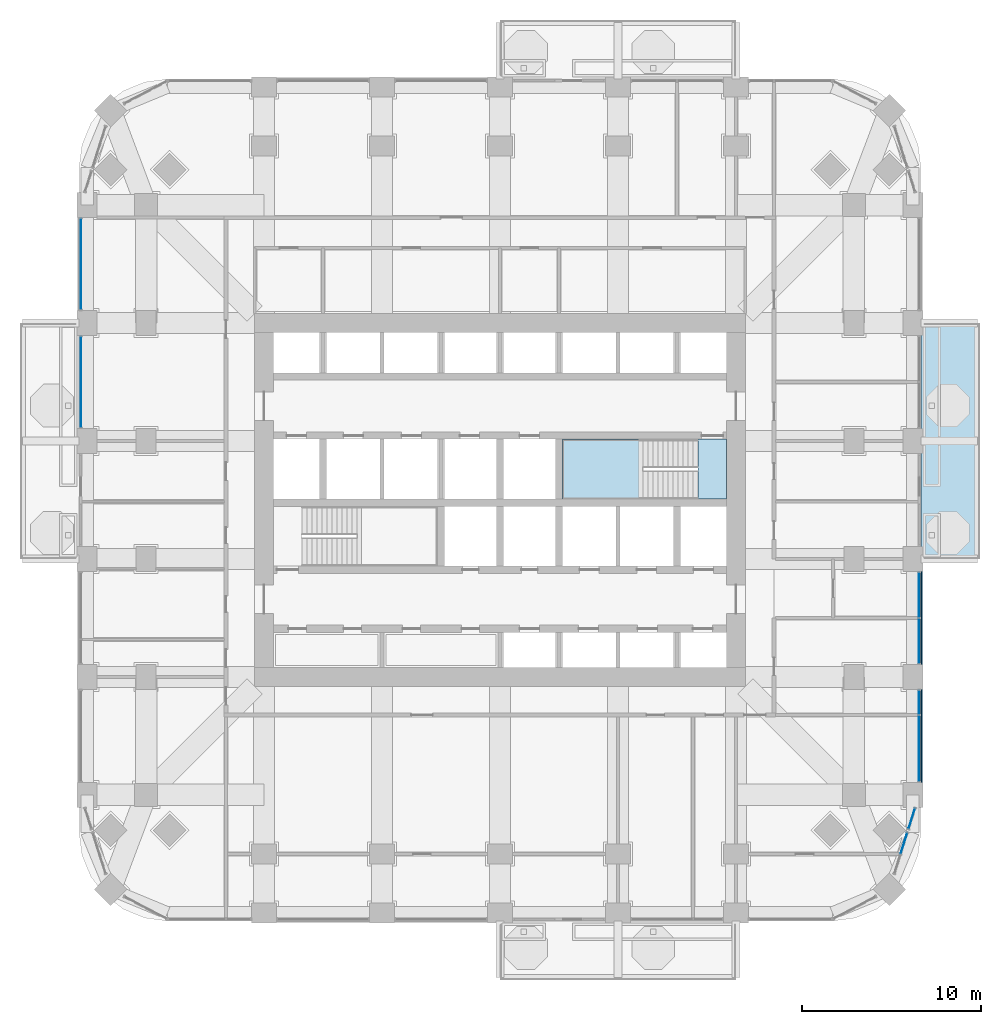
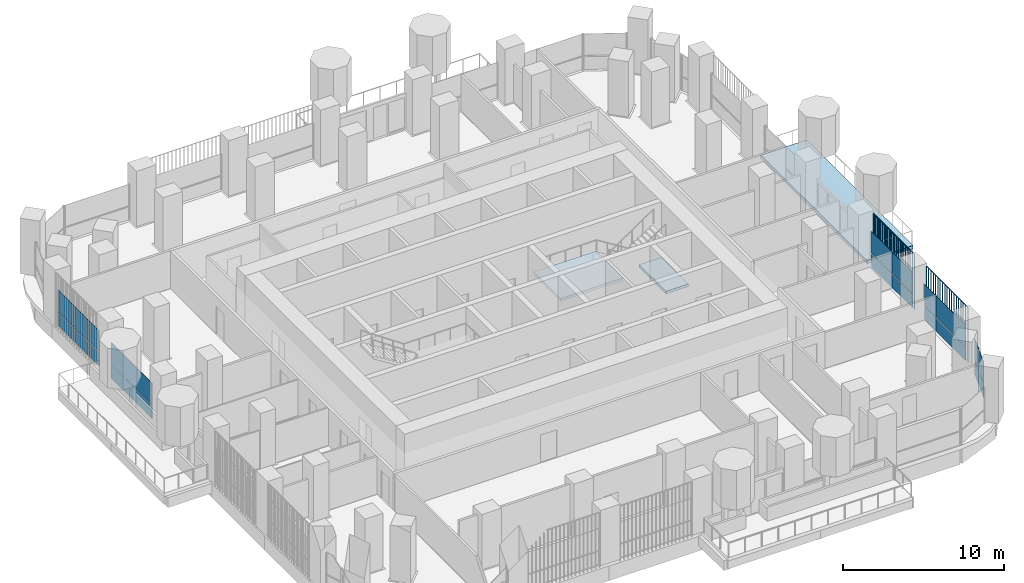
# One storey, part 11 of 22: 18 plates, 3 slabs, 7 elements without a shape of their own.
"""IFC4 building model written with IfcOpenShell, lengths in metres."""

from ifc_helpers import new_model, si_unit, direction, frame, origin, origin_2d, place, context, subcontext, project, spatial, polyline, rectangle, outline, extrude, material, layer, layer_set, type_object, element, aggregate, save


model = new_model("IFC4")

# Units and contexts
model_context = context("Model", 3, precision=1e-05, world=origin(), true_north=direction((0.0, 1.0)))
body_context = subcontext(model_context, "Body", "Model", "MODEL_VIEW")
ifc_project = project(units=[si_unit("LENGTHUNIT", "METRE"), si_unit("AREAUNIT", "SQUARE_METRE"), si_unit("VOLUMEUNIT", "CUBIC_METRE"), si_unit("PLANEANGLEUNIT", "RADIAN"), si_unit("MASSUNIT", "GRAM", prefix="KILO")], contexts=[model_context])

# Site, building, storey
site_placement = place(None, origin())
site = spatial("IfcSite", under=ifc_project, at=site_placement, CompositionType="ELEMENT")
building_placement = place(site_placement, origin())
building = spatial("IfcBuilding", under=site, at=building_placement, Name="Cobogo Forest Laboratory Tower", CompositionType="ELEMENT")
storey_placement = place(building_placement, frame((0.0, 0.0, 120.0)))
storey = spatial("IfcBuildingStorey", under=building, at=storey_placement, Name="L27", CompositionType="ELEMENT", Elevation=120.0)

# Slab
ifc_material_1 = material(Name="Concrete HA-40 (C40/50)", Category="concrete")
ifc_layer_1 = layer(ifc_material_1, 0.25)
ifc_layer_set_1 = layer_set([ifc_layer_1], Name="Balcony slab 250")
slab_type_1 = type_object("IfcSlabType", Name="Balcony slab 250", PredefinedType="FLOOR", material=ifc_layer_set_1)
slab_1_placement = place(storey_placement, frame((0.0, 0.0, -0.25)))
element("IfcSlab", 1, at=slab_1_placement, inside=storey, type_object=slab_type_1, Name="Balcony BAL-E1 L27", PredefinedType="FLOOR", context=body_context, shape_type="SweptSolid", body=[
    extrude(outline(polyline([(49.949951171875, 19.800048828125), (53.25, 19.800048828125), (53.25, 33.0), (49.949951171875, 33.0), (49.949951171875, 19.800048828125)])), origin(), (0.0, 0.0, 1.0), 0.25),
])

# Curtain wall, plates
ifc_material_2 = material(Name="Aluminium curtain wall", Category="aluminium")
curtain_wall_type = type_object("IfcCurtainWallType", Name="CW-1 unitised curtain wall, clear glazing, laboratory floors zones A and B", PredefinedType="USERDEFINED", material=ifc_material_2)
curtain_wall_1_placement = place(storey_placement, origin())
curtain_wall_1 = element("IfcCurtainWall", 2, at=curtain_wall_1_placement, inside=storey, type_object=curtain_wall_type, Name="Curtain wall 08 L27", ObjectType="UNITISED CURTAIN WALL", PredefinedType="USERDEFINED")
ifc_material_3 = material(Name="Clear insulated glass", Category="glass")
ifc_layer_2 = layer(ifc_material_3, 0.028076171875)
ifc_layer_set_2 = layer_set([ifc_layer_2], Name="GP-1 clear insulated glass unit 28")
plate_type_1 = type_object("IfcPlateType", Name="GP-1 clear insulated glass unit 28", PredefinedType="CURTAIN_PANEL", material=ifc_layer_set_2)
plate_1_placement = place(storey_placement, frame((48.99365234375, 3.88818359375, 0.0), z_axis=(0.0, 0.0, 1.0), x_axis=(0.301135291996, 0.953581425949, 0.0)))
plate_1 = element("IfcPlate", 3, at=plate_1_placement, type_object=plate_type_1, Name="CW-1 panel 2.1", PredefinedType="CURTAIN_PANEL", context=body_context, shape_type="SweptSolid", body=[
    extrude(rectangle(XDim=1.223876953125, YDim=0.028076171875, at=origin_2d()), origin(), (0.0, 0.0, 1.0), 1.02001953125),
])
plate_2_placement = place(storey_placement, frame((48.99365234375, 3.88818359375, 1.079833984375), z_axis=(0.0, 0.0, 1.0), x_axis=(0.301135291996, 0.953581425949, 0.0)))
plate_2 = element("IfcPlate", 4, at=plate_2_placement, type_object=plate_type_1, Name="CW-1 panel 2.2", PredefinedType="CURTAIN_PANEL", context=body_context, shape_type="SweptSolid", body=[
    extrude(rectangle(XDim=1.223876953125, YDim=0.028076171875, at=origin_2d()), origin(), (0.0, 0.0, 1.0), 1.6201171875),
])
aggregate(curtain_wall_1, [plate_1, plate_2])

curtain_wall_2_placement = place(storey_placement, origin())
curtain_wall_2 = element("IfcCurtainWall", 5, at=curtain_wall_2_placement, inside=storey, type_object=curtain_wall_type, Name="Curtain wall 09 L27", ObjectType="UNITISED CURTAIN WALL", PredefinedType="USERDEFINED")
plate_3_placement = place(storey_placement, frame((49.433837890625, 5.2822265625, 0.0), z_axis=(0.0, 0.0, 1.0), x_axis=(0.301135356805, 0.953581405483, 0.0)))
plate_3 = element("IfcPlate", 6, at=plate_3_placement, type_object=plate_type_1, Name="CW-1 panel 1.1", PredefinedType="CURTAIN_PANEL", context=body_context, shape_type="SweptSolid", body=[
    extrude(rectangle(XDim=1.17578125, YDim=0.028076171875, at=origin_2d()), origin(), (0.0, 0.0, 1.0), 1.02001953125),
])
plate_4_placement = place(storey_placement, frame((49.433837890625, 5.2822265625, 1.079833984375), z_axis=(0.0, 0.0, 1.0), x_axis=(0.301135356805, 0.953581405483, 0.0)))
plate_4 = element("IfcPlate", 7, at=plate_4_placement, type_object=plate_type_1, Name="CW-1 panel 1.2", PredefinedType="CURTAIN_PANEL", context=body_context, shape_type="SweptSolid", body=[
    extrude(rectangle(XDim=1.17578125, YDim=0.028076171875, at=origin_2d()), origin(), (0.0, 0.0, 1.0), 1.6201171875),
])
aggregate(curtain_wall_2, [plate_3, plate_4])

curtain_wall_3_placement = place(storey_placement, origin())
curtain_wall_3 = element("IfcCurtainWall", 8, at=curtain_wall_3_placement, inside=storey, type_object=curtain_wall_type, Name="Curtain wall 10 L27", ObjectType="UNITISED CURTAIN WALL", PredefinedType="USERDEFINED")
plate_5_placement = place(storey_placement, frame((49.85009765625, 9.202392578125, 0.0), z_axis=(0.0, 0.0, 1.0), x_axis=(0.0, 1.0, 0.0)))
plate_5 = element("IfcPlate", 9, at=plate_5_placement, type_object=plate_type_1, Name="CW-1 panel 1.1", PredefinedType="CURTAIN_PANEL", context=body_context, shape_type="SweptSolid", body=[
    extrude(rectangle(XDim=3.68505859375, YDim=0.028076171875, at=origin_2d()), origin(), (0.0, 0.0, 1.0), 1.02001953125),
])
plate_6_placement = place(storey_placement, frame((49.85009765625, 9.202392578125, 1.079833984375), z_axis=(0.0, 0.0, 1.0), x_axis=(0.0, 1.0, 0.0)))
plate_6 = element("IfcPlate", 10, at=plate_6_placement, type_object=plate_type_1, Name="CW-1 panel 1.2", PredefinedType="CURTAIN_PANEL", context=body_context, shape_type="SweptSolid", body=[
    extrude(rectangle(XDim=3.68505859375, YDim=0.028076171875, at=origin_2d()), origin(), (0.0, 0.0, 1.0), 1.6201171875),
])
plate_7_placement = place(storey_placement, frame((49.85009765625, 11.7724609375, 0.0), z_axis=(0.0, 0.0, 1.0), x_axis=(0.0, 1.0, 0.0)))
plate_7 = element("IfcPlate", 11, at=plate_7_placement, type_object=plate_type_1, Name="CW-1 panel 2.1", PredefinedType="CURTAIN_PANEL", context=body_context, shape_type="SweptSolid", body=[
    extrude(rectangle(XDim=1.3349609375, YDim=0.028076171875, at=origin_2d()), origin(), (0.0, 0.0, 1.0), 1.02001953125),
])
plate_8_placement = place(storey_placement, frame((49.85009765625, 11.7724609375, 1.079833984375), z_axis=(0.0, 0.0, 1.0), x_axis=(0.0, 1.0, 0.0)))
plate_8 = element("IfcPlate", 12, at=plate_8_placement, type_object=plate_type_1, Name="CW-1 panel 2.2", PredefinedType="CURTAIN_PANEL", context=body_context, shape_type="SweptSolid", body=[
    extrude(rectangle(XDim=1.3349609375, YDim=0.028076171875, at=origin_2d()), origin(), (0.0, 0.0, 1.0), 1.6201171875),
])
aggregate(curtain_wall_3, [plate_5, plate_6, plate_7, plate_8])

curtain_wall_4_placement = place(storey_placement, origin())
curtain_wall_4 = element("IfcCurtainWall", 13, at=curtain_wall_4_placement, inside=storey, type_object=curtain_wall_type, Name="Curtain wall 11 L27", ObjectType="UNITISED CURTAIN WALL", PredefinedType="USERDEFINED")
plate_9_placement = place(storey_placement, frame((49.85009765625, 15.215087890625, 0.0), z_axis=(0.0, 0.0, 1.0), x_axis=(0.0, 1.0, 0.0)))
plate_9 = element("IfcPlate", 14, at=plate_9_placement, type_object=plate_type_1, Name="CW-1 panel 1.1", PredefinedType="CURTAIN_PANEL", context=body_context, shape_type="SweptSolid", body=[
    extrude(rectangle(XDim=2.510009765625, YDim=0.028076171875, at=origin_2d()), origin(), (0.0, 0.0, 1.0), 1.02001953125),
])
plate_10_placement = place(storey_placement, frame((49.85009765625, 15.215087890625, 1.079833984375), z_axis=(0.0, 0.0, 1.0), x_axis=(0.0, 1.0, 0.0)))
plate_10 = element("IfcPlate", 15, at=plate_10_placement, type_object=plate_type_1, Name="CW-1 panel 1.2", PredefinedType="CURTAIN_PANEL", context=body_context, shape_type="SweptSolid", body=[
    extrude(rectangle(XDim=2.510009765625, YDim=0.028076171875, at=origin_2d()), origin(), (0.0, 0.0, 1.0), 1.6201171875),
])
plate_11_placement = place(storey_placement, frame((49.85009765625, 17.784912109375, 0.0), z_axis=(0.0, 0.0, 1.0), x_axis=(0.0, 1.0, 0.0)))
plate_11 = element("IfcPlate", 16, at=plate_11_placement, type_object=plate_type_1, Name="CW-1 panel 2.1", PredefinedType="CURTAIN_PANEL", context=body_context, shape_type="SweptSolid", body=[
    extrude(rectangle(XDim=2.510009765625, YDim=0.028076171875, at=origin_2d()), origin(), (0.0, 0.0, 1.0), 1.02001953125),
])
plate_12_placement = place(storey_placement, frame((49.85009765625, 17.784912109375, 1.079833984375), z_axis=(0.0, 0.0, 1.0), x_axis=(0.0, 1.0, 0.0)))
plate_12 = element("IfcPlate", 17, at=plate_12_placement, type_object=plate_type_1, Name="CW-1 panel 2.2", PredefinedType="CURTAIN_PANEL", context=body_context, shape_type="SweptSolid", body=[
    extrude(rectangle(XDim=2.510009765625, YDim=0.028076171875, at=origin_2d()), origin(), (0.0, 0.0, 1.0), 1.6201171875),
])
aggregate(curtain_wall_4, [plate_9, plate_10, plate_11, plate_12])

curtain_wall_5_placement = place(storey_placement, origin())
curtain_wall_5 = element("IfcCurtainWall", 18, at=curtain_wall_5_placement, inside=storey, type_object=curtain_wall_type, Name="Curtain wall 27 L27", ObjectType="UNITISED CURTAIN WALL", PredefinedType="USERDEFINED")
plate_13_placement = place(storey_placement, frame((2.949951171875, 36.300048828125, 0.0), z_axis=(0.0, 0.0, 1.0), x_axis=(0.0, -1.0, 0.0)))
plate_13 = element("IfcPlate", 19, at=plate_13_placement, type_object=plate_type_1, Name="CW-1 panel 1.1", PredefinedType="CURTAIN_PANEL", context=body_context, shape_type="SweptSolid", body=[
    extrude(rectangle(XDim=5.080078125, YDim=0.028076171875, at=origin_2d()), origin(), (0.0, 0.0, 1.0), 1.02001953125),
])
plate_14_placement = place(storey_placement, frame((2.949951171875, 36.300048828125, 1.079833984375), z_axis=(0.0, 0.0, 1.0), x_axis=(0.0, -1.0, 0.0)))
plate_14 = element("IfcPlate", 20, at=plate_14_placement, type_object=plate_type_1, Name="CW-1 panel 1.2", PredefinedType="CURTAIN_PANEL", context=body_context, shape_type="SweptSolid", body=[
    extrude(rectangle(XDim=5.080078125, YDim=0.028076171875, at=origin_2d()), origin(), (0.0, 0.0, 1.0), 1.6201171875),
])
aggregate(curtain_wall_5, [plate_13, plate_14])

curtain_wall_6_placement = place(storey_placement, origin())
curtain_wall_6 = element("IfcCurtainWall", 21, at=curtain_wall_6_placement, inside=storey, type_object=curtain_wall_type, Name="Curtain wall 28 L27", ObjectType="UNITISED CURTAIN WALL", PredefinedType="USERDEFINED")
plate_15_placement = place(storey_placement, frame((2.949951171875, 29.699951171875, 0.0), z_axis=(0.0, 0.0, 1.0), x_axis=(0.0, -1.0, 0.0)))
plate_15 = element("IfcPlate", 22, at=plate_15_placement, type_object=plate_type_1, Name="CW-1 panel 1.1", PredefinedType="CURTAIN_PANEL", context=body_context, shape_type="SweptSolid", body=[
    extrude(rectangle(XDim=5.080078125, YDim=0.028076171875, at=origin_2d()), origin(), (0.0, 0.0, 1.0), 1.02001953125),
])
plate_16_placement = place(storey_placement, frame((2.949951171875, 29.699951171875, 1.079833984375), z_axis=(0.0, 0.0, 1.0), x_axis=(0.0, -1.0, 0.0)))
plate_16 = element("IfcPlate", 23, at=plate_16_placement, type_object=plate_type_1, Name="CW-1 panel 1.2", PredefinedType="CURTAIN_PANEL", context=body_context, shape_type="SweptSolid", body=[
    extrude(rectangle(XDim=5.080078125, YDim=0.028076171875, at=origin_2d()), origin(), (0.0, 0.0, 1.0), 1.6201171875),
])
aggregate(curtain_wall_6, [plate_15, plate_16])

# Stair, slabs
ifc_material_4 = material(Name="Precast concrete HA-40 (C40/50)", Category="concrete")
stair_type = type_object("IfcStairType", Name="ST24 exit stair 24 risers", PredefinedType="HALF_TURN_STAIR", material=ifc_material_4)
stair_placement = place(storey_placement, origin())
stair = element("IfcStair", 24, at=stair_placement, inside=storey, type_object=stair_type, Name="Stair 2 L27 to L28", PredefinedType="HALF_TURN_STAIR")
ifc_layer_3 = layer(ifc_material_1, 0.199951171875)
ifc_layer_set_3 = layer_set([ifc_layer_3], Name="SL stair landing 200")
slab_type_2 = type_object("IfcSlabType", Name="SL stair landing 200", PredefinedType="LANDING", material=ifc_layer_set_3)
slab_2_placement = place(storey_placement, frame((0.0, 0.0, -0.199951171875)))
slab_2 = element("IfcSlab", 25, at=slab_2_placement, type_object=slab_type_2, Name="ST2 landing 1", PredefinedType="LANDING", context=body_context, shape_type="SweptSolid", body=[
    extrude(outline(polyline([(37.472900390625, 23.14990234375), (39.074951171875, 23.14990234375), (39.074951171875, 26.5), (37.472900390625, 26.5), (37.472900390625, 23.14990234375)])), origin(), (0.0, 0.0, 1.0), 0.199951171875),
])
slab_3_placement = place(storey_placement, frame((0.0, 0.0, 1.89990234375)))
slab_3 = element("IfcSlab", 26, at=slab_3_placement, type_object=slab_type_2, Name="ST2 landing 2", PredefinedType="LANDING", context=body_context, shape_type="SweptSolid", body=[
    extrude(outline(polyline([(29.89990234375, 23.14990234375), (34.39697265625, 23.14990234375), (34.39697265625, 26.5), (29.89990234375, 26.5), (29.89990234375, 23.14990234375)])), origin(), (0.0, 0.0, 1.0), 0.2001953125),
])
aggregate(stair, [slab_2, slab_3])

# Plates
ifc_material_5 = material(Name="Terracotta", Category="masonry")
plate_type_2 = type_object("IfcPlateType", Name="TB1 terracotta baguette screen", PredefinedType="USERDEFINED", material=ifc_material_5)
plate_17_placement = place(storey_placement, frame((49.977783203125, 7.331298828125, -0.14990234375)))
element("IfcPlate", 27, at=plate_17_placement, inside=storey, type_object=plate_type_2, Name="Baguette screen E1 L27", ObjectType="BAGUETTE SCREEN", PredefinedType="USERDEFINED", context=body_context, shape_type="SweptSolid", body=[
    extrude(outline(polyline([(0.02880859375, 0.011962890625), (0.011962890625, 0.02880859375), (-0.011962890625, 0.02880859375), (-0.02880859375, 0.011962890625), (-0.02880859375, -0.011962890625), (-0.011962890625, -0.02880859375), (0.011962890625, -0.02880859375), (0.02880859375, -0.011962890625), (0.02880859375, 0.011962890625)])), frame((0.0, 0.0, 4.168701171875), z_axis=(0.0, 1.0, 0.0), x_axis=(-1.0, 0.0, 0.0)), (0.0, 0.0, 1.0), 5.137451171875),
    extrude(outline(polyline([(0.02880859375, 0.011962890625), (0.011962890625, 0.02880859375), (-0.011962890625, 0.02880859375), (-0.02880859375, 0.011962890625), (-0.02880859375, -0.011962890625), (-0.011962890625, -0.02880859375), (0.011962890625, -0.02880859375), (0.02880859375, -0.011962890625), (0.02880859375, 0.011962890625)])), origin(), (0.0, 0.0, 1.0), 4.137451171875),
    extrude(outline(polyline([(0.02880859375, 0.011962890625), (0.011962890625, 0.02880859375), (-0.011962890625, 0.02880859375), (-0.02880859375, 0.011962890625), (-0.02880859375, -0.011962890625), (-0.011962890625, -0.02880859375), (0.011962890625, -0.02880859375), (0.02880859375, -0.011962890625), (0.02880859375, 0.011962890625)])), frame((0.0, 0.285400390625, 0.0)), (0.0, 0.0, 1.0), 4.137451171875),
    extrude(outline(polyline([(0.02880859375, 0.011962890625), (0.011962890625, 0.02880859375), (-0.011962890625, 0.02880859375), (-0.02880859375, 0.011962890625), (-0.02880859375, -0.011962890625), (-0.011962890625, -0.02880859375), (0.011962890625, -0.02880859375), (0.02880859375, -0.011962890625), (0.02880859375, 0.011962890625)])), frame((0.0, 0.57080078125, 0.0)), (0.0, 0.0, 1.0), 4.137451171875),
    extrude(outline(polyline([(0.02880859375, 0.011962890625), (0.011962890625, 0.02880859375), (-0.011962890625, 0.02880859375), (-0.02880859375, 0.011962890625), (-0.02880859375, -0.011962890625), (-0.011962890625, -0.02880859375), (0.011962890625, -0.02880859375), (0.02880859375, -0.011962890625), (0.02880859375, 0.011962890625)])), frame((0.0, 0.856201171875, 0.0)), (0.0, 0.0, 1.0), 4.137451171875),
    extrude(outline(polyline([(0.02880859375, 0.011962890625), (0.011962890625, 0.02880859375), (-0.011962890625, 0.02880859375), (-0.02880859375, 0.011962890625), (-0.02880859375, -0.011962890625), (-0.011962890625, -0.02880859375), (0.011962890625, -0.02880859375), (0.02880859375, -0.011962890625), (0.02880859375, 0.011962890625)])), frame((0.0, 1.1416015625, 0.0)), (0.0, 0.0, 1.0), 4.137451171875),
    extrude(outline(polyline([(0.02880859375, 0.011962890625), (0.011962890625, 0.02880859375), (-0.011962890625, 0.02880859375), (-0.02880859375, 0.011962890625), (-0.02880859375, -0.011962890625), (-0.011962890625, -0.02880859375), (0.011962890625, -0.02880859375), (0.02880859375, -0.011962890625), (0.02880859375, 0.011962890625)])), frame((0.0, 1.427001953125, 0.0)), (0.0, 0.0, 1.0), 4.137451171875),
    extrude(outline(polyline([(0.02880859375, 0.011962890625), (0.011962890625, 0.02880859375), (-0.011962890625, 0.02880859375), (-0.02880859375, 0.011962890625), (-0.02880859375, -0.011962890625), (-0.011962890625, -0.02880859375), (0.011962890625, -0.02880859375), (0.02880859375, -0.011962890625), (0.02880859375, 0.011962890625)])), frame((0.0, 1.71240234375, 0.0)), (0.0, 0.0, 1.0), 4.137451171875),
    extrude(outline(polyline([(0.02880859375, 0.011962890625), (0.011962890625, 0.02880859375), (-0.011962890625, 0.02880859375), (-0.02880859375, 0.011962890625), (-0.02880859375, -0.011962890625), (-0.011962890625, -0.02880859375), (0.011962890625, -0.02880859375), (0.02880859375, -0.011962890625), (0.02880859375, 0.011962890625)])), frame((0.0, 1.997802734375, 0.0)), (0.0, 0.0, 1.0), 4.137451171875),
    extrude(outline(polyline([(0.02880859375, 0.011962890625), (0.011962890625, 0.02880859375), (-0.011962890625, 0.02880859375), (-0.02880859375, 0.011962890625), (-0.02880859375, -0.011962890625), (-0.011962890625, -0.02880859375), (0.011962890625, -0.02880859375), (0.02880859375, -0.011962890625), (0.02880859375, 0.011962890625)])), frame((0.0, 2.283203125, 0.0)), (0.0, 0.0, 1.0), 4.137451171875),
    extrude(outline(polyline([(0.02880859375, 0.011962890625), (0.011962890625, 0.02880859375), (-0.011962890625, 0.02880859375), (-0.02880859375, 0.011962890625), (-0.02880859375, -0.011962890625), (-0.011962890625, -0.02880859375), (0.011962890625, -0.02880859375), (0.02880859375, -0.011962890625), (0.02880859375, 0.011962890625)])), frame((0.0, 2.56884765625, 0.0)), (0.0, 0.0, 1.0), 4.137451171875),
    extrude(outline(polyline([(0.02880859375, 0.011962890625), (0.011962890625, 0.02880859375), (-0.011962890625, 0.02880859375), (-0.02880859375, 0.011962890625), (-0.02880859375, -0.011962890625), (-0.011962890625, -0.02880859375), (0.011962890625, -0.02880859375), (0.02880859375, -0.011962890625), (0.02880859375, 0.011962890625)])), frame((0.0, 2.854248046875, 0.0)), (0.0, 0.0, 1.0), 4.137451171875),
    extrude(outline(polyline([(0.02880859375, 0.011962890625), (0.011962890625, 0.02880859375), (-0.011962890625, 0.02880859375), (-0.02880859375, 0.011962890625), (-0.02880859375, -0.011962890625), (-0.011962890625, -0.02880859375), (0.011962890625, -0.02880859375), (0.02880859375, -0.011962890625), (0.02880859375, 0.011962890625)])), frame((0.0, 3.1396484375, 0.0)), (0.0, 0.0, 1.0), 4.137451171875),
    extrude(outline(polyline([(0.02880859375, 0.011962890625), (0.011962890625, 0.02880859375), (-0.011962890625, 0.02880859375), (-0.02880859375, 0.011962890625), (-0.02880859375, -0.011962890625), (-0.011962890625, -0.02880859375), (0.011962890625, -0.02880859375), (0.02880859375, -0.011962890625), (0.02880859375, 0.011962890625)])), frame((0.0, 3.425048828125, 0.0)), (0.0, 0.0, 1.0), 4.137451171875),
    extrude(outline(polyline([(0.02880859375, 0.011962890625), (0.011962890625, 0.02880859375), (-0.011962890625, 0.02880859375), (-0.02880859375, 0.011962890625), (-0.02880859375, -0.011962890625), (-0.011962890625, -0.02880859375), (0.011962890625, -0.02880859375), (0.02880859375, -0.011962890625), (0.02880859375, 0.011962890625)])), frame((0.0, 3.71044921875, 0.0)), (0.0, 0.0, 1.0), 4.137451171875),
    extrude(outline(polyline([(0.02880859375, 0.011962890625), (0.011962890625, 0.02880859375), (-0.011962890625, 0.02880859375), (-0.02880859375, 0.011962890625), (-0.02880859375, -0.011962890625), (-0.011962890625, -0.02880859375), (0.011962890625, -0.02880859375), (0.02880859375, -0.011962890625), (0.02880859375, 0.011962890625)])), frame((0.0, 3.995849609375, 0.0)), (0.0, 0.0, 1.0), 4.137451171875),
    extrude(outline(polyline([(0.02880859375, 0.011962890625), (0.011962890625, 0.02880859375), (-0.011962890625, 0.02880859375), (-0.02880859375, 0.011962890625), (-0.02880859375, -0.011962890625), (-0.011962890625, -0.02880859375), (0.011962890625, -0.02880859375), (0.02880859375, -0.011962890625), (0.02880859375, 0.011962890625)])), frame((0.0, 4.28125, 0.0)), (0.0, 0.0, 1.0), 4.137451171875),
    extrude(outline(polyline([(0.02880859375, 0.011962890625), (0.011962890625, 0.02880859375), (-0.011962890625, 0.02880859375), (-0.02880859375, 0.011962890625), (-0.02880859375, -0.011962890625), (-0.011962890625, -0.02880859375), (0.011962890625, -0.02880859375), (0.02880859375, -0.011962890625), (0.02880859375, 0.011962890625)])), frame((0.0, 4.566650390625, 0.0)), (0.0, 0.0, 1.0), 4.137451171875),
    extrude(outline(polyline([(0.02880859375, 0.011962890625), (0.011962890625, 0.02880859375), (-0.011962890625, 0.02880859375), (-0.02880859375, 0.011962890625), (-0.02880859375, -0.011962890625), (-0.011962890625, -0.02880859375), (0.011962890625, -0.02880859375), (0.02880859375, -0.011962890625), (0.02880859375, 0.011962890625)])), frame((0.0, 4.85205078125, 0.0)), (0.0, 0.0, 1.0), 4.137451171875),
    extrude(outline(polyline([(0.02880859375, 0.011962890625), (0.011962890625, 0.02880859375), (-0.011962890625, 0.02880859375), (-0.02880859375, 0.011962890625), (-0.02880859375, -0.011962890625), (-0.011962890625, -0.02880859375), (0.011962890625, -0.02880859375), (0.02880859375, -0.011962890625), (0.02880859375, 0.011962890625)])), frame((0.0, 5.137451171875, 0.0)), (0.0, 0.0, 1.0), 4.137451171875),
])
plate_18_placement = place(storey_placement, frame((49.977783203125, 13.93115234375, -0.14990234375)))
element("IfcPlate", 28, at=plate_18_placement, inside=storey, type_object=plate_type_2, Name="Baguette screen E2 L27", ObjectType="BAGUETTE SCREEN", PredefinedType="USERDEFINED", context=body_context, shape_type="SweptSolid", body=[
    extrude(outline(polyline([(0.02880859375, 0.011962890625), (0.011962890625, 0.02880859375), (-0.011962890625, 0.02880859375), (-0.02880859375, 0.011962890625), (-0.02880859375, -0.011962890625), (-0.011962890625, -0.02880859375), (0.011962890625, -0.02880859375), (0.02880859375, -0.011962890625), (0.02880859375, 0.011962890625)])), frame((0.0, 0.0, 4.168701171875), z_axis=(0.0, 1.0, 0.0), x_axis=(-1.0, 0.0, 0.0)), (0.0, 0.0, 1.0), 5.1376953125),
    extrude(outline(polyline([(0.02880859375, 0.011962890625), (0.011962890625, 0.02880859375), (-0.011962890625, 0.02880859375), (-0.02880859375, 0.011962890625), (-0.02880859375, -0.011962890625), (-0.011962890625, -0.02880859375), (0.011962890625, -0.02880859375), (0.02880859375, -0.011962890625), (0.02880859375, 0.011962890625)])), origin(), (0.0, 0.0, 1.0), 4.137451171875),
    extrude(outline(polyline([(0.02880859375, 0.011962890625), (0.011962890625, 0.02880859375), (-0.011962890625, 0.02880859375), (-0.02880859375, 0.011962890625), (-0.02880859375, -0.011962890625), (-0.011962890625, -0.02880859375), (0.011962890625, -0.02880859375), (0.02880859375, -0.011962890625), (0.02880859375, 0.011962890625)])), frame((0.0, 0.285400390625, 0.0)), (0.0, 0.0, 1.0), 4.137451171875),
    extrude(outline(polyline([(0.02880859375, 0.011962890625), (0.011962890625, 0.02880859375), (-0.011962890625, 0.02880859375), (-0.02880859375, 0.011962890625), (-0.02880859375, -0.011962890625), (-0.011962890625, -0.02880859375), (0.011962890625, -0.02880859375), (0.02880859375, -0.011962890625), (0.02880859375, 0.011962890625)])), frame((0.0, 0.57080078125, 0.0)), (0.0, 0.0, 1.0), 4.137451171875),
    extrude(outline(polyline([(0.02880859375, 0.011962890625), (0.011962890625, 0.02880859375), (-0.011962890625, 0.02880859375), (-0.02880859375, 0.011962890625), (-0.02880859375, -0.011962890625), (-0.011962890625, -0.02880859375), (0.011962890625, -0.02880859375), (0.02880859375, -0.011962890625), (0.02880859375, 0.011962890625)])), frame((0.0, 0.856201171875, 0.0)), (0.0, 0.0, 1.0), 4.137451171875),
    extrude(outline(polyline([(0.02880859375, 0.011962890625), (0.011962890625, 0.02880859375), (-0.011962890625, 0.02880859375), (-0.02880859375, 0.011962890625), (-0.02880859375, -0.011962890625), (-0.011962890625, -0.02880859375), (0.011962890625, -0.02880859375), (0.02880859375, -0.011962890625), (0.02880859375, 0.011962890625)])), frame((0.0, 1.1416015625, 0.0)), (0.0, 0.0, 1.0), 4.137451171875),
    extrude(outline(polyline([(0.02880859375, 0.011962890625), (0.011962890625, 0.02880859375), (-0.011962890625, 0.02880859375), (-0.02880859375, 0.011962890625), (-0.02880859375, -0.011962890625), (-0.011962890625, -0.02880859375), (0.011962890625, -0.02880859375), (0.02880859375, -0.011962890625), (0.02880859375, 0.011962890625)])), frame((0.0, 1.42724609375, 0.0)), (0.0, 0.0, 1.0), 4.137451171875),
    extrude(outline(polyline([(0.02880859375, 0.011962890625), (0.011962890625, 0.02880859375), (-0.011962890625, 0.02880859375), (-0.02880859375, 0.011962890625), (-0.02880859375, -0.011962890625), (-0.011962890625, -0.02880859375), (0.011962890625, -0.02880859375), (0.02880859375, -0.011962890625), (0.02880859375, 0.011962890625)])), frame((0.0, 1.712646484375, 0.0)), (0.0, 0.0, 1.0), 4.137451171875),
    extrude(outline(polyline([(0.02880859375, 0.011962890625), (0.011962890625, 0.02880859375), (-0.011962890625, 0.02880859375), (-0.02880859375, 0.011962890625), (-0.02880859375, -0.011962890625), (-0.011962890625, -0.02880859375), (0.011962890625, -0.02880859375), (0.02880859375, -0.011962890625), (0.02880859375, 0.011962890625)])), frame((0.0, 1.998046875, 0.0)), (0.0, 0.0, 1.0), 4.137451171875),
    extrude(outline(polyline([(0.02880859375, 0.011962890625), (0.011962890625, 0.02880859375), (-0.011962890625, 0.02880859375), (-0.02880859375, 0.011962890625), (-0.02880859375, -0.011962890625), (-0.011962890625, -0.02880859375), (0.011962890625, -0.02880859375), (0.02880859375, -0.011962890625), (0.02880859375, 0.011962890625)])), frame((0.0, 2.283447265625, 0.0)), (0.0, 0.0, 1.0), 4.137451171875),
    extrude(outline(polyline([(0.02880859375, 0.011962890625), (0.011962890625, 0.02880859375), (-0.011962890625, 0.02880859375), (-0.02880859375, 0.011962890625), (-0.02880859375, -0.011962890625), (-0.011962890625, -0.02880859375), (0.011962890625, -0.02880859375), (0.02880859375, -0.011962890625), (0.02880859375, 0.011962890625)])), frame((0.0, 2.56884765625, 0.0)), (0.0, 0.0, 1.0), 4.137451171875),
    extrude(outline(polyline([(0.02880859375, 0.011962890625), (0.011962890625, 0.02880859375), (-0.011962890625, 0.02880859375), (-0.02880859375, 0.011962890625), (-0.02880859375, -0.011962890625), (-0.011962890625, -0.02880859375), (0.011962890625, -0.02880859375), (0.02880859375, -0.011962890625), (0.02880859375, 0.011962890625)])), frame((0.0, 2.854248046875, 0.0)), (0.0, 0.0, 1.0), 4.137451171875),
    extrude(outline(polyline([(0.02880859375, 0.011962890625), (0.011962890625, 0.02880859375), (-0.011962890625, 0.02880859375), (-0.02880859375, 0.011962890625), (-0.02880859375, -0.011962890625), (-0.011962890625, -0.02880859375), (0.011962890625, -0.02880859375), (0.02880859375, -0.011962890625), (0.02880859375, 0.011962890625)])), frame((0.0, 3.1396484375, 0.0)), (0.0, 0.0, 1.0), 4.137451171875),
    extrude(outline(polyline([(0.02880859375, 0.011962890625), (0.011962890625, 0.02880859375), (-0.011962890625, 0.02880859375), (-0.02880859375, 0.011962890625), (-0.02880859375, -0.011962890625), (-0.011962890625, -0.02880859375), (0.011962890625, -0.02880859375), (0.02880859375, -0.011962890625), (0.02880859375, 0.011962890625)])), frame((0.0, 3.425048828125, 0.0)), (0.0, 0.0, 1.0), 4.137451171875),
    extrude(outline(polyline([(0.02880859375, 0.011962890625), (0.011962890625, 0.02880859375), (-0.011962890625, 0.02880859375), (-0.02880859375, 0.011962890625), (-0.02880859375, -0.011962890625), (-0.011962890625, -0.02880859375), (0.011962890625, -0.02880859375), (0.02880859375, -0.011962890625), (0.02880859375, 0.011962890625)])), frame((0.0, 3.71044921875, 0.0)), (0.0, 0.0, 1.0), 4.137451171875),
    extrude(outline(polyline([(0.02880859375, 0.011962890625), (0.011962890625, 0.02880859375), (-0.011962890625, 0.02880859375), (-0.02880859375, 0.011962890625), (-0.02880859375, -0.011962890625), (-0.011962890625, -0.02880859375), (0.011962890625, -0.02880859375), (0.02880859375, -0.011962890625), (0.02880859375, 0.011962890625)])), frame((0.0, 3.99609375, 0.0)), (0.0, 0.0, 1.0), 4.137451171875),
    extrude(outline(polyline([(0.02880859375, 0.011962890625), (0.011962890625, 0.02880859375), (-0.011962890625, 0.02880859375), (-0.02880859375, 0.011962890625), (-0.02880859375, -0.011962890625), (-0.011962890625, -0.02880859375), (0.011962890625, -0.02880859375), (0.02880859375, -0.011962890625), (0.02880859375, 0.011962890625)])), frame((0.0, 4.281494140625, 0.0)), (0.0, 0.0, 1.0), 4.137451171875),
    extrude(outline(polyline([(0.02880859375, 0.011962890625), (0.011962890625, 0.02880859375), (-0.011962890625, 0.02880859375), (-0.02880859375, 0.011962890625), (-0.02880859375, -0.011962890625), (-0.011962890625, -0.02880859375), (0.011962890625, -0.02880859375), (0.02880859375, -0.011962890625), (0.02880859375, 0.011962890625)])), frame((0.0, 4.56689453125, 0.0)), (0.0, 0.0, 1.0), 4.137451171875),
    extrude(outline(polyline([(0.02880859375, 0.011962890625), (0.011962890625, 0.02880859375), (-0.011962890625, 0.02880859375), (-0.02880859375, 0.011962890625), (-0.02880859375, -0.011962890625), (-0.011962890625, -0.02880859375), (0.011962890625, -0.02880859375), (0.02880859375, -0.011962890625), (0.02880859375, 0.011962890625)])), frame((0.0, 4.852294921875, 0.0)), (0.0, 0.0, 1.0), 4.137451171875),
    extrude(outline(polyline([(0.02880859375, 0.011962890625), (0.011962890625, 0.02880859375), (-0.011962890625, 0.02880859375), (-0.02880859375, 0.011962890625), (-0.02880859375, -0.011962890625), (-0.011962890625, -0.02880859375), (0.011962890625, -0.02880859375), (0.02880859375, -0.011962890625), (0.02880859375, 0.011962890625)])), frame((0.0, 5.1376953125, 0.0)), (0.0, 0.0, 1.0), 4.137451171875),
])

save(model, "model.ifc")
